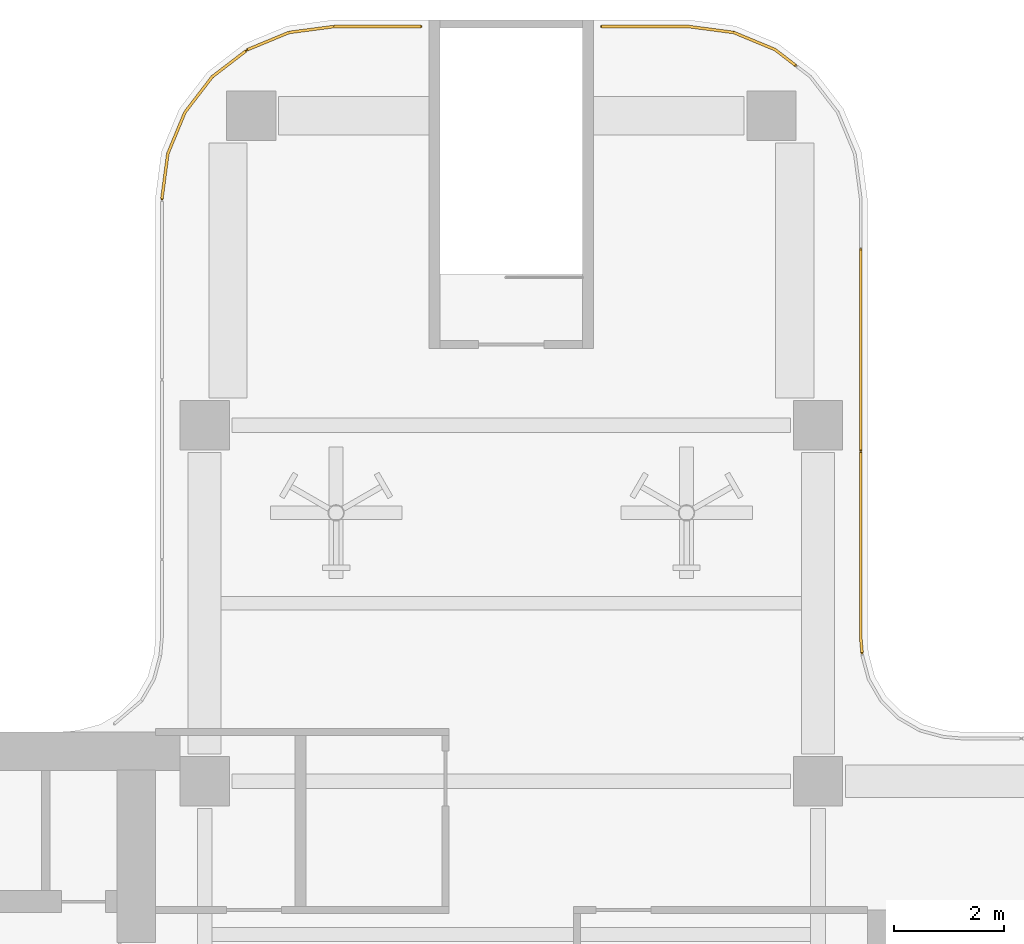
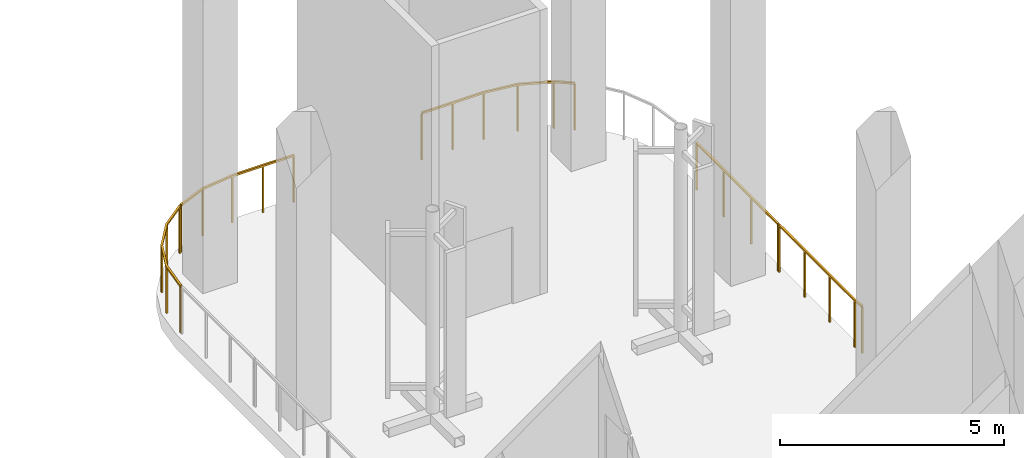
# One storey, part 7 of 8: 5 railings.
"""IFC4 building model written with IfcOpenShell, lengths in metres."""

from ifc_helpers import new_model, si_unit, direction, frame, origin, origin_2d, place, context, subcontext, project, spatial, rectangle, extrude, source, transform, mapped, material, type_object, element, save


model = new_model("IFC4")

# Units and contexts
model_context = context("Model", 3, precision=1e-05, world=origin(), true_north=direction((0.0, 1.0)))
body_context = subcontext(model_context, "Body", "Model", "MODEL_VIEW")
ifc_project = project(units=[si_unit("LENGTHUNIT", "METRE"), si_unit("AREAUNIT", "SQUARE_METRE"), si_unit("VOLUMEUNIT", "CUBIC_METRE"), si_unit("PLANEANGLEUNIT", "RADIAN"), si_unit("MASSUNIT", "GRAM", prefix="KILO")], contexts=[model_context])

# Site, building, storey
site_placement = place(None, origin())
site = spatial("IfcSite", under=ifc_project, at=site_placement, CompositionType="ELEMENT")
building_placement = place(site_placement, origin())
building = spatial("IfcBuilding", under=site, at=building_placement, Name="Trellis Farm Tower", CompositionType="ELEMENT")
storey_placement = place(building_placement, frame((0.0, 0.0, 330.10009765625)))
storey = spatial("IfcBuildingStorey", under=building, at=storey_placement, Name="L75", CompositionType="ELEMENT", Elevation=330.10009765625)

# Railings
ifc_material = material(Name="Stainless steel 316", Category="steel")
railing_type = type_object("IfcRailingType", Name="BALUSTRADE GUARD 1300", PredefinedType="GUARDRAIL", material=ifc_material)
railing_1_placement = place(storey_placement, frame((-6.3798828125, 16.2333984375, 0.0)))
element("IfcRailing", 1, at=railing_1_placement, inside=storey, type_object=railing_type, Name="GD3 EDGE-4", PredefinedType="GUARDRAIL", context=body_context, shape_type="SweptSolid", body=[
    extrude(rectangle(XDim=0.050048828125, YDim=0.050048828125, at=origin_2d()), frame((0.0, 0.0, 1.27490234375), z_axis=(0.0, 1.0, 0.0), x_axis=(-1.0, 0.0, 0.0)), (0.0, 0.0, 1.0), 0.0087890625),
    extrude(rectangle(XDim=0.050048828125, YDim=0.050048828125, at=origin_2d()), frame((0.0, 0.0087890625, 1.27490234375), z_axis=(0.130554065513, 0.991441191387, 0.0), x_axis=(-0.991441191387, 0.130554065513, 0.0)), (0.0, 0.0, 1.0), 0.82470703125),
    extrude(rectangle(XDim=0.050048828125, YDim=0.050048828125, at=origin_2d()), frame((0.107666015625, 0.826416015625, 1.27490234375), z_axis=(0.382598185958, 0.923914838122, 0.0), x_axis=(-0.923914838122, 0.382598185958, 0.0)), (0.0, 0.0, 1.0), 0.81689453125),
    extrude(rectangle(XDim=0.050048828125, YDim=0.050048828125, at=origin_2d()), frame((0.420166015625, 1.5810546875, 1.27490234375), z_axis=(0.608858156099, 0.793279109615, 0.0), x_axis=(-0.793279109615, 0.608858156099, 0.0)), (0.0, 0.0, 1.0), 0.81689453125),
    extrude(rectangle(XDim=0.050048828125, YDim=0.050048828125, at=origin_2d()), frame((0.91748046875, 2.22900390625, 1.27490234375), z_axis=(0.793131049763, 0.609051014204, 0.0), x_axis=(-0.609051014204, 0.793131049763, 0.0)), (0.0, 0.0, 1.0), 0.769287109375),
    extrude(rectangle(XDim=0.0400390625, YDim=0.0400390625, at=origin_2d()), origin(), (0.0, 0.0, 1.0), 1.25),
    extrude(rectangle(XDim=0.0400390625, YDim=0.0400390625, at=origin_2d()), frame((0.0, 0.0087890625, 0.0)), (0.0, 0.0, 1.0), 1.25),
    extrude(rectangle(XDim=0.0400390625, YDim=0.0400390625, at=origin_2d()), frame((0.107666015625, 0.826416015625, 0.0)), (0.0, 0.0, 1.0), 1.25),
    extrude(rectangle(XDim=0.0400390625, YDim=0.0400390625, at=origin_2d()), frame((0.420166015625, 1.5810546875, 0.0)), (0.0, 0.0, 1.0), 1.25),
    extrude(rectangle(XDim=0.0400390625, YDim=0.0400390625, at=origin_2d()), frame((0.91748046875, 2.22900390625, 0.0)), (0.0, 0.0, 1.0), 1.25),
    extrude(rectangle(XDim=0.0400390625, YDim=0.0400390625, at=origin_2d()), frame((1.527587890625, 2.697509765625, 0.0)), (0.0, 0.0, 1.0), 1.25),
])
railing_2_placement = place(storey_placement, frame((-4.816650390625, 18.958251953125, 0.0)))
element("IfcRailing", 2, at=railing_2_placement, inside=storey, type_object=railing_type, Name="GD3 EDGE-5", PredefinedType="GUARDRAIL", context=body_context, shape_type="SweptSolid", body=[
    extrude(rectangle(XDim=0.050048828125, YDim=0.050048828125, at=origin_2d()), frame((0.0, 0.0, 1.27490234375), z_axis=(0.832050294338, 0.554700196225, 0.0), x_axis=(-0.554700196225, 0.832050294338, 0.0)), (0.0, 0.0, 1.0), 0.002685546875),
    extrude(rectangle(XDim=0.050048828125, YDim=0.050048828125, at=origin_2d()), frame((0.002197265625, 0.00146484375, 1.27490234375), z_axis=(0.923914838122, 0.382598185958, 0.0), x_axis=(-0.382598185958, 0.923914838122, 0.0)), (0.0, 0.0, 1.0), 0.81689453125),
    extrude(rectangle(XDim=0.050048828125, YDim=0.050048828125, at=origin_2d()), frame((0.7568359375, 0.31396484375, 1.27490234375), z_axis=(0.991441191387, 0.130554065513, 0.0), x_axis=(-0.130554065513, 0.991441191387, 0.0)), (0.0, 0.0, 1.0), 0.82470703125),
    extrude(rectangle(XDim=0.050048828125, YDim=0.050048828125, at=origin_2d()), frame((1.574462890625, 0.421630859375, 1.27490234375), z_axis=(1.0, 0.0, 0.0), x_axis=(0.0, 1.0, 0.0)), (0.0, 0.0, 1.0), 1.59228515625),
    extrude(rectangle(XDim=0.0400390625, YDim=0.0400390625, at=origin_2d()), origin(), (0.0, 0.0, 1.0), 1.25),
    extrude(rectangle(XDim=0.0400390625, YDim=0.0400390625, at=origin_2d()), frame((0.002197265625, 0.00146484375, 0.0)), (0.0, 0.0, 1.0), 1.25),
    extrude(rectangle(XDim=0.0400390625, YDim=0.0400390625, at=origin_2d()), frame((0.7568359375, 0.31396484375, 0.0)), (0.0, 0.0, 1.0), 1.25),
    extrude(rectangle(XDim=0.0400390625, YDim=0.0400390625, at=origin_2d()), frame((1.574462890625, 0.421630859375, 0.0)), (0.0, 0.0, 1.0), 1.25),
    extrude(rectangle(XDim=0.0400390625, YDim=0.0400390625, at=origin_2d()), frame((2.37060546875, 0.421630859375, 0.0)), (0.0, 0.0, 1.0), 1.25),
    extrude(rectangle(XDim=0.0400390625, YDim=0.0400390625, at=origin_2d()), frame((3.166748046875, 0.421630859375, 0.0)), (0.0, 0.0, 1.0), 1.25),
])
railing_3_placement = place(storey_placement, frame((1.64990234375, 19.3798828125, 0.0)))
element("IfcRailing", 3, at=railing_3_placement, inside=storey, type_object=railing_type, Name="GD3 EDGE-6", PredefinedType="GUARDRAIL", context=body_context, shape_type="SweptSolid", body=[
    extrude(rectangle(XDim=0.050048828125, YDim=0.050048828125, at=origin_2d()), frame((0.0, 0.0, 1.27490234375), z_axis=(1.0, 0.0, 0.0), x_axis=(0.0, 1.0, 0.0)), (0.0, 0.0, 1.0), 1.59228515625),
    extrude(rectangle(XDim=0.050048828125, YDim=0.050048828125, at=origin_2d()), frame((1.59228515625, 0.0, 1.27490234375), z_axis=(0.991441191387, -0.130554065513, 0.0), x_axis=(0.130554065513, 0.991441191387, 0.0)), (0.0, 0.0, 1.0), 0.82470703125),
    extrude(rectangle(XDim=0.050048828125, YDim=0.050048828125, at=origin_2d()), frame((2.409912109375, -0.107666015625, 1.27490234375), z_axis=(0.923914838122, -0.382598185958, 0.0), x_axis=(0.382598185958, 0.923914838122, 0.0)), (0.0, 0.0, 1.0), 0.81689453125),
    extrude(rectangle(XDim=0.050048828125, YDim=0.050048828125, at=origin_2d()), frame((3.16455078125, -0.420166015625, 1.27490234375), z_axis=(0.793244800159, -0.608902855159, 0.0), x_axis=(0.608902855159, 0.793244800159, 0.0)), (0.0, 0.0, 1.0), 0.467529296875),
    extrude(rectangle(XDim=0.0400390625, YDim=0.0400390625, at=origin_2d()), origin(), (0.0, 0.0, 1.0), 1.25),
    extrude(rectangle(XDim=0.0400390625, YDim=0.0400390625, at=origin_2d()), frame((0.796142578125, 0.0, 0.0)), (0.0, 0.0, 1.0), 1.25),
    extrude(rectangle(XDim=0.0400390625, YDim=0.0400390625, at=origin_2d()), frame((1.59228515625, 0.0, 0.0)), (0.0, 0.0, 1.0), 1.25),
    extrude(rectangle(XDim=0.0400390625, YDim=0.0400390625, at=origin_2d()), frame((2.409912109375, -0.107666015625, 0.0)), (0.0, 0.0, 1.0), 1.25),
    extrude(rectangle(XDim=0.0400390625, YDim=0.0400390625, at=origin_2d()), frame((3.16455078125, -0.420166015625, 0.0)), (0.0, 0.0, 1.0), 1.25),
    extrude(rectangle(XDim=0.0400390625, YDim=0.0400390625, at=origin_2d()), frame((3.535400390625, -0.704833984375, 0.0)), (0.0, 0.0, 1.0), 1.25),
])
railing_4_placement = place(storey_placement, frame((6.3798828125, 11.602294921875, 0.0)))
element("IfcRailing", 4, at=railing_4_placement, inside=storey, type_object=railing_type, Name="GD3 EDGE-9", PredefinedType="GUARDRAIL", context=body_context, shape_type="SweptSolid", body=[
    extrude(rectangle(XDim=0.050048828125, YDim=0.050048828125, at=origin_2d()), frame((0.0, 0.0, 1.27490234375), z_axis=(0.0, -1.0, 0.0), x_axis=(1.0, 0.0, 0.0)), (0.0, 0.0, 1.0), 3.374755859375),
    extrude(rectangle(XDim=0.050048828125, YDim=0.050048828125, at=origin_2d()), frame((0.0, -3.374755859375, 1.27490234375), z_axis=(0.088425107453, -0.996082828068, 0.0), x_axis=(0.996082828068, 0.088425107453, 0.0)), (0.0, 0.0, 1.0), 0.28173828125),
    extrude(rectangle(XDim=0.0400390625, YDim=0.0400390625, at=origin_2d()), origin(), (0.0, 0.0, 1.0), 1.25),
    extrude(rectangle(XDim=0.0400390625, YDim=0.0400390625, at=origin_2d()), frame((0.0, -1.125, 0.0)), (0.0, 0.0, 1.0), 1.25),
    extrude(rectangle(XDim=0.0400390625, YDim=0.0400390625, at=origin_2d()), frame((0.0, -2.249755859375, 0.0)), (0.0, 0.0, 1.0), 1.25),
    extrude(rectangle(XDim=0.0400390625, YDim=0.0400390625, at=origin_2d()), frame((0.0, -3.374755859375, 0.0)), (0.0, 0.0, 1.0), 1.25),
    extrude(rectangle(XDim=0.0400390625, YDim=0.0400390625, at=origin_2d()), frame((0.02490234375, -3.6552734375, 0.0)), (0.0, 0.0, 1.0), 1.25),
])
shared_shape = source(origin(), body_context, "Body", "SweptSolid", [
    extrude(rectangle(XDim=0.050048828125, YDim=0.050048828125, at=origin_2d()), frame((0.0, 0.0, 1.27490234375), z_axis=(0.0, -1.0, 0.0), x_axis=(1.0, 0.0, 0.0)), (0.0, 0.0, 1.0), 3.65625),
    extrude(rectangle(XDim=0.0400390625, YDim=0.0400390625, at=origin_2d()), origin(), (0.0, 0.0, 1.0), 1.25),
    extrude(rectangle(XDim=0.0400390625, YDim=0.0400390625, at=origin_2d()), frame((0.0, -1.21875, 0.0)), (0.0, 0.0, 1.0), 1.25),
    extrude(rectangle(XDim=0.0400390625, YDim=0.0400390625, at=origin_2d()), frame((0.0, -2.4375, 0.0)), (0.0, 0.0, 1.0), 1.25),
    extrude(rectangle(XDim=0.0400390625, YDim=0.0400390625, at=origin_2d()), frame((0.0, -3.65625, 0.0)), (0.0, 0.0, 1.0), 1.25),
])
railing_5_placement = place(storey_placement, frame((6.3798828125, 15.303466796875, 0.0)))
element("IfcRailing", 5, at=railing_5_placement, inside=storey, type_object=railing_type, Name="GD3 EDGE-8", PredefinedType="GUARDRAIL", context=body_context, shape_type="MappedRepresentation", body=[
    mapped(shared_shape, transform((0.0, 0.0, 0.0))),
])

save(model, "model.ifc")
